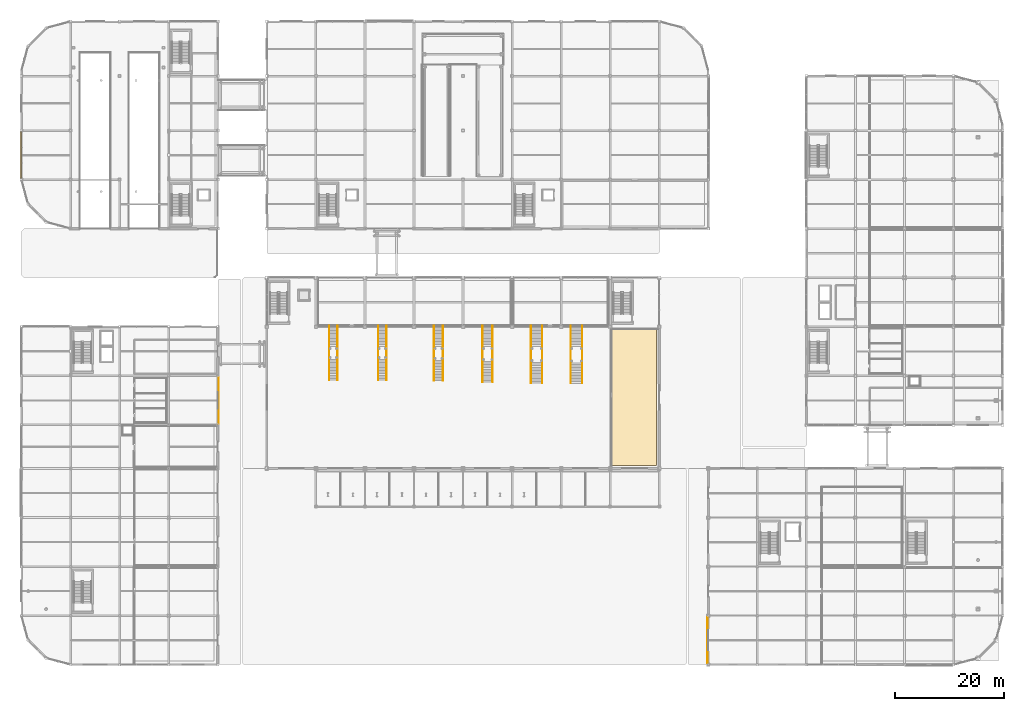
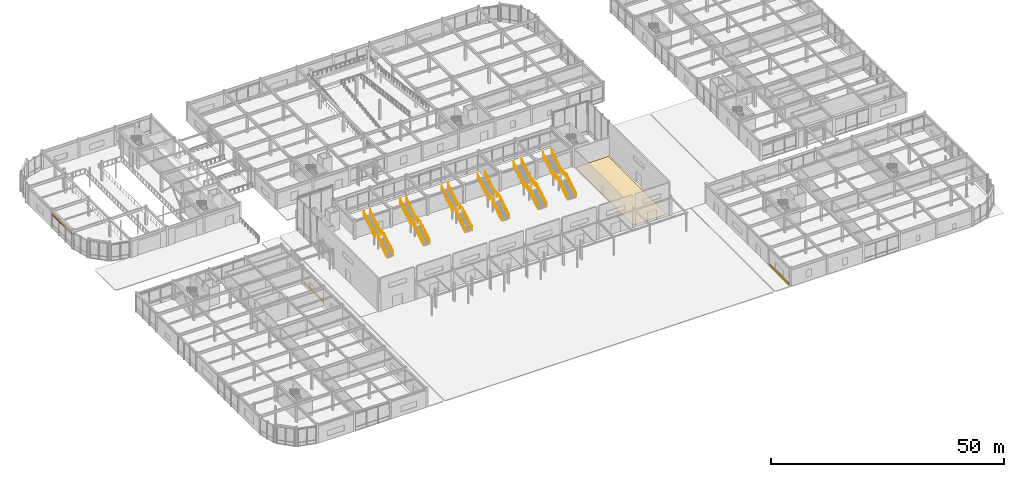
# One storey, part 109 of 123: 12 railings, 3 coverings, 1 shading device.
"""IFC4 building model written with IfcOpenShell, lengths in metres."""

from ifc_helpers import new_model, si_unit, direction, frame, origin, origin_2d, place, context, subcontext, project, spatial, polyline, rectangle, circle, outline, extrude, material, layer, layer_set, material_profile, profile_set, type_object, element, save


model = new_model("IFC4")

# Units and contexts
model_context = context("Model", 3, precision=1e-05, world=origin(), true_north=direction((0.0, 1.0)))
body_context = subcontext(model_context, "Body", "Model", "MODEL_VIEW")
ifc_project = project(units=[si_unit("LENGTHUNIT", "METRE"), si_unit("AREAUNIT", "SQUARE_METRE"), si_unit("VOLUMEUNIT", "CUBIC_METRE"), si_unit("PLANEANGLEUNIT", "RADIAN"), si_unit("MASSUNIT", "GRAM", prefix="KILO")], contexts=[model_context])

# Site, building, storey
site_placement = place(None, origin())
site = spatial("IfcSite", under=ifc_project, at=site_placement, CompositionType="ELEMENT")
building_placement = place(site_placement, origin())
building = spatial("IfcBuilding", under=site, at=building_placement, Name="Suzunagisa Mobility Hub", CompositionType="ELEMENT")
storey_placement = place(building_placement, origin())
storey = spatial("IfcBuildingStorey", under=building, at=storey_placement, Name="L00", CompositionType="ELEMENT", Elevation=0.0)

# Railings
ifc_material_1 = material(Name="Stainless Steel SUS304", Category="metal")
railing_type = type_object("IfcRailingType", Name="Interior Well Guardrail IGR-01", PredefinedType="GUARDRAIL", material=ifc_material_1)
railing_1_placement = place(storey_placement, frame((56.449951171875, 52.22998046875, 0.169921875)))
element("IfcRailing", 1, at=railing_1_placement, inside=storey, type_object=railing_type, Name="Concourse Stair Guardrail FS-01-L", PredefinedType="GUARDRAIL", context=body_context, shape_type="SweptSolid", body=[
    extrude(circle(Radius=0.02392578125, at=origin_2d()), frame((0.0, 0.0, 1.09619140625), z_axis=(0.0, 0.854181046106, 0.519975711426), x_axis=(-1.0, 0.0, 0.0)), (0.0, 0.0, 1.0), 4.577392578125),
    extrude(circle(Radius=0.02392578125, at=origin_2d()), frame((0.0, 3.909912109375, 3.47607421875), z_axis=(0.0, 1.0, 0.0), x_axis=(-1.0, 0.0, 0.0)), (0.0, 0.0, 1.0), 2.0),
    extrude(circle(Radius=0.02392578125, at=origin_2d()), frame((0.0, 5.909912109375, 3.47607421875), z_axis=(0.0, 0.84682331819, 0.531874296963), x_axis=(-1.0, 0.0, 0.0)), (0.0, 0.0, 1.0), 4.79443359375),
    extrude(circle(Radius=0.02099609375, at=origin_2d()), origin(), (0.0, 0.0, 1.0), 1.072021484375),
    extrude(circle(Radius=0.02099609375, at=origin_2d()), frame((0.0, 0.9775390625, 0.594970703125)), (0.0, 0.0, 1.0), 1.072021484375),
    extrude(circle(Radius=0.02099609375, at=origin_2d()), frame((0.0, 1.955078125, 1.18994140625)), (0.0, 0.0, 1.0), 1.072021484375),
    extrude(circle(Radius=0.02099609375, at=origin_2d()), frame((0.0, 2.932373046875, 1.78515625)), (0.0, 0.0, 1.0), 1.072021484375),
    extrude(circle(Radius=0.02099609375, at=origin_2d()), frame((0.0, 3.909912109375, 2.380126953125)), (0.0, 0.0, 1.0), 1.072021484375),
    extrude(circle(Radius=0.02099609375, at=origin_2d()), frame((0.0, 4.909912109375, 2.380126953125)), (0.0, 0.0, 1.0), 1.072021484375),
    extrude(circle(Radius=0.02099609375, at=origin_2d()), frame((0.0, 5.909912109375, 2.380126953125)), (0.0, 0.0, 1.0), 1.072021484375),
    extrude(circle(Radius=0.02099609375, at=origin_2d()), frame((0.0, 6.9248046875, 3.017578125)), (0.0, 0.0, 1.0), 1.072021484375),
    extrude(circle(Radius=0.02099609375, at=origin_2d()), frame((0.0, 7.93994140625, 3.6552734375)), (0.0, 0.0, 1.0), 1.072021484375),
    extrude(circle(Radius=0.02099609375, at=origin_2d()), frame((0.0, 8.955078125, 4.292724609375)), (0.0, 0.0, 1.0), 1.072021484375),
    extrude(circle(Radius=0.02099609375, at=origin_2d()), frame((0.0, 9.969970703125, 4.93017578125)), (0.0, 0.0, 1.0), 1.072021484375),
])
railing_2_placement = place(storey_placement, frame((57.949951171875, 52.22998046875, 0.169921875)))
element("IfcRailing", 2, at=railing_2_placement, inside=storey, type_object=railing_type, Name="Concourse Stair Guardrail FS-01-R", PredefinedType="GUARDRAIL", context=body_context, shape_type="SweptSolid", body=[
    extrude(circle(Radius=0.02392578125, at=origin_2d()), frame((0.0, 0.0, 1.09619140625), z_axis=(0.0, 0.854181046106, 0.519975711426), x_axis=(-1.0, 0.0, 0.0)), (0.0, 0.0, 1.0), 4.577392578125),
    extrude(circle(Radius=0.02392578125, at=origin_2d()), frame((0.0, 3.909912109375, 3.47607421875), z_axis=(0.0, 1.0, 0.0), x_axis=(-1.0, 0.0, 0.0)), (0.0, 0.0, 1.0), 2.0),
    extrude(circle(Radius=0.02392578125, at=origin_2d()), frame((0.0, 5.909912109375, 3.47607421875), z_axis=(0.0, 0.84682331819, 0.531874296963), x_axis=(-1.0, 0.0, 0.0)), (0.0, 0.0, 1.0), 4.79443359375),
    extrude(circle(Radius=0.02099609375, at=origin_2d()), origin(), (0.0, 0.0, 1.0), 1.072021484375),
    extrude(circle(Radius=0.02099609375, at=origin_2d()), frame((0.0, 0.9775390625, 0.594970703125)), (0.0, 0.0, 1.0), 1.072021484375),
    extrude(circle(Radius=0.02099609375, at=origin_2d()), frame((0.0, 1.955078125, 1.18994140625)), (0.0, 0.0, 1.0), 1.072021484375),
    extrude(circle(Radius=0.02099609375, at=origin_2d()), frame((0.0, 2.932373046875, 1.78515625)), (0.0, 0.0, 1.0), 1.072021484375),
    extrude(circle(Radius=0.02099609375, at=origin_2d()), frame((0.0, 3.909912109375, 2.380126953125)), (0.0, 0.0, 1.0), 1.072021484375),
    extrude(circle(Radius=0.02099609375, at=origin_2d()), frame((0.0, 4.909912109375, 2.380126953125)), (0.0, 0.0, 1.0), 1.072021484375),
    extrude(circle(Radius=0.02099609375, at=origin_2d()), frame((0.0, 5.909912109375, 2.380126953125)), (0.0, 0.0, 1.0), 1.072021484375),
    extrude(circle(Radius=0.02099609375, at=origin_2d()), frame((0.0, 6.9248046875, 3.017578125)), (0.0, 0.0, 1.0), 1.072021484375),
    extrude(circle(Radius=0.02099609375, at=origin_2d()), frame((0.0, 7.93994140625, 3.6552734375)), (0.0, 0.0, 1.0), 1.072021484375),
    extrude(circle(Radius=0.02099609375, at=origin_2d()), frame((0.0, 8.955078125, 4.292724609375)), (0.0, 0.0, 1.0), 1.072021484375),
    extrude(circle(Radius=0.02099609375, at=origin_2d()), frame((0.0, 9.969970703125, 4.93017578125)), (0.0, 0.0, 1.0), 1.072021484375),
])
railing_3_placement = place(storey_placement, frame((65.449951171875, 52.22998046875, 0.169921875)))
element("IfcRailing", 3, at=railing_3_placement, inside=storey, type_object=railing_type, Name="Concourse Stair Guardrail FS-02-L", PredefinedType="GUARDRAIL", context=body_context, shape_type="SweptSolid", body=[
    extrude(circle(Radius=0.02392578125, at=origin_2d()), frame((0.0, 0.0, 1.09619140625), z_axis=(0.0, 0.854181046106, 0.519975711426), x_axis=(-1.0, 0.0, 0.0)), (0.0, 0.0, 1.0), 4.577392578125),
    extrude(circle(Radius=0.02392578125, at=origin_2d()), frame((0.0, 3.909912109375, 3.47607421875), z_axis=(0.0, 1.0, 0.0), x_axis=(-1.0, 0.0, 0.0)), (0.0, 0.0, 1.0), 2.0),
    extrude(circle(Radius=0.02392578125, at=origin_2d()), frame((0.0, 5.909912109375, 3.47607421875), z_axis=(0.0, 0.84682331819, 0.531874296963), x_axis=(-1.0, 0.0, 0.0)), (0.0, 0.0, 1.0), 4.79443359375),
    extrude(circle(Radius=0.02099609375, at=origin_2d()), origin(), (0.0, 0.0, 1.0), 1.072021484375),
    extrude(circle(Radius=0.02099609375, at=origin_2d()), frame((0.0, 0.9775390625, 0.594970703125)), (0.0, 0.0, 1.0), 1.072021484375),
    extrude(circle(Radius=0.02099609375, at=origin_2d()), frame((0.0, 1.955078125, 1.18994140625)), (0.0, 0.0, 1.0), 1.072021484375),
    extrude(circle(Radius=0.02099609375, at=origin_2d()), frame((0.0, 2.932373046875, 1.78515625)), (0.0, 0.0, 1.0), 1.072021484375),
    extrude(circle(Radius=0.02099609375, at=origin_2d()), frame((0.0, 3.909912109375, 2.380126953125)), (0.0, 0.0, 1.0), 1.072021484375),
    extrude(circle(Radius=0.02099609375, at=origin_2d()), frame((0.0, 4.909912109375, 2.380126953125)), (0.0, 0.0, 1.0), 1.072021484375),
    extrude(circle(Radius=0.02099609375, at=origin_2d()), frame((0.0, 5.909912109375, 2.380126953125)), (0.0, 0.0, 1.0), 1.072021484375),
    extrude(circle(Radius=0.02099609375, at=origin_2d()), frame((0.0, 6.9248046875, 3.017578125)), (0.0, 0.0, 1.0), 1.072021484375),
    extrude(circle(Radius=0.02099609375, at=origin_2d()), frame((0.0, 7.93994140625, 3.6552734375)), (0.0, 0.0, 1.0), 1.072021484375),
    extrude(circle(Radius=0.02099609375, at=origin_2d()), frame((0.0, 8.955078125, 4.292724609375)), (0.0, 0.0, 1.0), 1.072021484375),
    extrude(circle(Radius=0.02099609375, at=origin_2d()), frame((0.0, 9.969970703125, 4.93017578125)), (0.0, 0.0, 1.0), 1.072021484375),
])
railing_4_placement = place(storey_placement, frame((66.949951171875, 52.22998046875, 0.169921875)))
element("IfcRailing", 4, at=railing_4_placement, inside=storey, type_object=railing_type, Name="Concourse Stair Guardrail FS-02-R", PredefinedType="GUARDRAIL", context=body_context, shape_type="SweptSolid", body=[
    extrude(circle(Radius=0.02392578125, at=origin_2d()), frame((0.0, 0.0, 1.09619140625), z_axis=(0.0, 0.854181046106, 0.519975711426), x_axis=(-1.0, 0.0, 0.0)), (0.0, 0.0, 1.0), 4.577392578125),
    extrude(circle(Radius=0.02392578125, at=origin_2d()), frame((0.0, 3.909912109375, 3.47607421875), z_axis=(0.0, 1.0, 0.0), x_axis=(-1.0, 0.0, 0.0)), (0.0, 0.0, 1.0), 2.0),
    extrude(circle(Radius=0.02392578125, at=origin_2d()), frame((0.0, 5.909912109375, 3.47607421875), z_axis=(0.0, 0.84682331819, 0.531874296963), x_axis=(-1.0, 0.0, 0.0)), (0.0, 0.0, 1.0), 4.79443359375),
    extrude(circle(Radius=0.02099609375, at=origin_2d()), origin(), (0.0, 0.0, 1.0), 1.072021484375),
    extrude(circle(Radius=0.02099609375, at=origin_2d()), frame((0.0, 0.9775390625, 0.594970703125)), (0.0, 0.0, 1.0), 1.072021484375),
    extrude(circle(Radius=0.02099609375, at=origin_2d()), frame((0.0, 1.955078125, 1.18994140625)), (0.0, 0.0, 1.0), 1.072021484375),
    extrude(circle(Radius=0.02099609375, at=origin_2d()), frame((0.0, 2.932373046875, 1.78515625)), (0.0, 0.0, 1.0), 1.072021484375),
    extrude(circle(Radius=0.02099609375, at=origin_2d()), frame((0.0, 3.909912109375, 2.380126953125)), (0.0, 0.0, 1.0), 1.072021484375),
    extrude(circle(Radius=0.02099609375, at=origin_2d()), frame((0.0, 4.909912109375, 2.380126953125)), (0.0, 0.0, 1.0), 1.072021484375),
    extrude(circle(Radius=0.02099609375, at=origin_2d()), frame((0.0, 5.909912109375, 2.380126953125)), (0.0, 0.0, 1.0), 1.072021484375),
    extrude(circle(Radius=0.02099609375, at=origin_2d()), frame((0.0, 6.9248046875, 3.017578125)), (0.0, 0.0, 1.0), 1.072021484375),
    extrude(circle(Radius=0.02099609375, at=origin_2d()), frame((0.0, 7.93994140625, 3.6552734375)), (0.0, 0.0, 1.0), 1.072021484375),
    extrude(circle(Radius=0.02099609375, at=origin_2d()), frame((0.0, 8.955078125, 4.292724609375)), (0.0, 0.0, 1.0), 1.072021484375),
    extrude(circle(Radius=0.02099609375, at=origin_2d()), frame((0.0, 9.969970703125, 4.93017578125)), (0.0, 0.0, 1.0), 1.072021484375),
])
railing_5_placement = place(storey_placement, frame((75.68603515625, 52.10205078125, 0.169921875)))
element("IfcRailing", 5, at=railing_5_placement, inside=storey, type_object=railing_type, Name="Concourse Stair Guardrail FS-03-L", PredefinedType="GUARDRAIL", context=body_context, shape_type="SweptSolid", body=[
    extrude(circle(Radius=0.02392578125, at=origin_2d()), frame((0.0, 0.0, 1.09619140625), z_axis=(0.0, 0.854181046106, 0.519975711426), x_axis=(-1.0, 0.0, 0.0)), (0.0, 0.0, 1.0), 4.577392578125),
    extrude(circle(Radius=0.02392578125, at=origin_2d()), frame((0.0, 3.909912109375, 3.47607421875), z_axis=(0.0, 1.0, 0.0), x_axis=(-1.0, 0.0, 0.0)), (0.0, 0.0, 1.0), 2.1279296875),
    extrude(circle(Radius=0.02392578125, at=origin_2d()), frame((0.0, 6.037841796875, 3.47607421875), z_axis=(0.0, 0.84682331819, 0.531874296963), x_axis=(-1.0, 0.0, 0.0)), (0.0, 0.0, 1.0), 4.79443359375),
    extrude(circle(Radius=0.02099609375, at=origin_2d()), origin(), (0.0, 0.0, 1.0), 1.072021484375),
    extrude(circle(Radius=0.02099609375, at=origin_2d()), frame((0.0, 0.9775390625, 0.594970703125)), (0.0, 0.0, 1.0), 1.072021484375),
    extrude(circle(Radius=0.02099609375, at=origin_2d()), frame((0.0, 1.955078125, 1.18994140625)), (0.0, 0.0, 1.0), 1.072021484375),
    extrude(circle(Radius=0.02099609375, at=origin_2d()), frame((0.0, 2.932373046875, 1.78515625)), (0.0, 0.0, 1.0), 1.072021484375),
    extrude(circle(Radius=0.02099609375, at=origin_2d()), frame((0.0, 3.909912109375, 2.380126953125)), (0.0, 0.0, 1.0), 1.072021484375),
    extrude(circle(Radius=0.02099609375, at=origin_2d()), frame((0.0, 4.973876953125, 2.380126953125)), (0.0, 0.0, 1.0), 1.072021484375),
    extrude(circle(Radius=0.02099609375, at=origin_2d()), frame((0.0, 6.037841796875, 2.380126953125)), (0.0, 0.0, 1.0), 1.072021484375),
    extrude(circle(Radius=0.02099609375, at=origin_2d()), frame((0.0, 7.052734375, 3.017578125)), (0.0, 0.0, 1.0), 1.072021484375),
    extrude(circle(Radius=0.02099609375, at=origin_2d()), frame((0.0, 8.06787109375, 3.6552734375)), (0.0, 0.0, 1.0), 1.072021484375),
    extrude(circle(Radius=0.02099609375, at=origin_2d()), frame((0.0, 9.0830078125, 4.292724609375)), (0.0, 0.0, 1.0), 1.072021484375),
    extrude(circle(Radius=0.02099609375, at=origin_2d()), frame((0.0, 10.097900390625, 4.93017578125)), (0.0, 0.0, 1.0), 1.072021484375),
])
railing_6_placement = place(storey_placement, frame((77.31396484375, 52.10205078125, 0.169921875)))
element("IfcRailing", 6, at=railing_6_placement, inside=storey, type_object=railing_type, Name="Concourse Stair Guardrail FS-03-R", PredefinedType="GUARDRAIL", context=body_context, shape_type="SweptSolid", body=[
    extrude(circle(Radius=0.02392578125, at=origin_2d()), frame((0.0, 0.0, 1.09619140625), z_axis=(0.0, 0.854181046106, 0.519975711426), x_axis=(-1.0, 0.0, 0.0)), (0.0, 0.0, 1.0), 4.577392578125),
    extrude(circle(Radius=0.02392578125, at=origin_2d()), frame((0.0, 3.909912109375, 3.47607421875), z_axis=(0.0, 1.0, 0.0), x_axis=(-1.0, 0.0, 0.0)), (0.0, 0.0, 1.0), 2.1279296875),
    extrude(circle(Radius=0.02392578125, at=origin_2d()), frame((0.0, 6.037841796875, 3.47607421875), z_axis=(0.0, 0.84682331819, 0.531874296963), x_axis=(-1.0, 0.0, 0.0)), (0.0, 0.0, 1.0), 4.79443359375),
    extrude(circle(Radius=0.02099609375, at=origin_2d()), origin(), (0.0, 0.0, 1.0), 1.072021484375),
    extrude(circle(Radius=0.02099609375, at=origin_2d()), frame((0.0, 0.9775390625, 0.594970703125)), (0.0, 0.0, 1.0), 1.072021484375),
    extrude(circle(Radius=0.02099609375, at=origin_2d()), frame((0.0, 1.955078125, 1.18994140625)), (0.0, 0.0, 1.0), 1.072021484375),
    extrude(circle(Radius=0.02099609375, at=origin_2d()), frame((0.0, 2.932373046875, 1.78515625)), (0.0, 0.0, 1.0), 1.072021484375),
    extrude(circle(Radius=0.02099609375, at=origin_2d()), frame((0.0, 3.909912109375, 2.380126953125)), (0.0, 0.0, 1.0), 1.072021484375),
    extrude(circle(Radius=0.02099609375, at=origin_2d()), frame((0.0, 4.973876953125, 2.380126953125)), (0.0, 0.0, 1.0), 1.072021484375),
    extrude(circle(Radius=0.02099609375, at=origin_2d()), frame((0.0, 6.037841796875, 2.380126953125)), (0.0, 0.0, 1.0), 1.072021484375),
    extrude(circle(Radius=0.02099609375, at=origin_2d()), frame((0.0, 7.052734375, 3.017578125)), (0.0, 0.0, 1.0), 1.072021484375),
    extrude(circle(Radius=0.02099609375, at=origin_2d()), frame((0.0, 8.06787109375, 3.6552734375)), (0.0, 0.0, 1.0), 1.072021484375),
    extrude(circle(Radius=0.02099609375, at=origin_2d()), frame((0.0, 9.0830078125, 4.292724609375)), (0.0, 0.0, 1.0), 1.072021484375),
    extrude(circle(Radius=0.02099609375, at=origin_2d()), frame((0.0, 10.097900390625, 4.93017578125)), (0.0, 0.0, 1.0), 1.072021484375),
])
railing_7_placement = place(storey_placement, frame((84.577880859375, 51.885986328125, 0.169921875)))
element("IfcRailing", 7, at=railing_7_placement, inside=storey, type_object=railing_type, Name="Concourse Stair Guardrail FS-04-L", PredefinedType="GUARDRAIL", context=body_context, shape_type="SweptSolid", body=[
    extrude(circle(Radius=0.02392578125, at=origin_2d()), frame((0.0, 0.0, 1.09619140625), z_axis=(0.0, 0.854181046106, 0.519975711426), x_axis=(-1.0, 0.0, 0.0)), (0.0, 0.0, 1.0), 4.577392578125),
    extrude(circle(Radius=0.02392578125, at=origin_2d()), frame((0.0, 3.909912109375, 3.47607421875), z_axis=(0.0, 1.0, 0.0), x_axis=(-1.0, 0.0, 0.0)), (0.0, 0.0, 1.0), 2.343994140625),
    extrude(circle(Radius=0.02392578125, at=origin_2d()), frame((0.0, 6.25390625, 3.47607421875), z_axis=(0.0, 0.84682331819, 0.531874296963), x_axis=(-1.0, 0.0, 0.0)), (0.0, 0.0, 1.0), 4.79443359375),
    extrude(circle(Radius=0.02099609375, at=origin_2d()), origin(), (0.0, 0.0, 1.0), 1.072021484375),
    extrude(circle(Radius=0.02099609375, at=origin_2d()), frame((0.0, 0.9775390625, 0.594970703125)), (0.0, 0.0, 1.0), 1.072021484375),
    extrude(circle(Radius=0.02099609375, at=origin_2d()), frame((0.0, 1.955078125, 1.18994140625)), (0.0, 0.0, 1.0), 1.072021484375),
    extrude(circle(Radius=0.02099609375, at=origin_2d()), frame((0.0, 2.932373046875, 1.78515625)), (0.0, 0.0, 1.0), 1.072021484375),
    extrude(circle(Radius=0.02099609375, at=origin_2d()), frame((0.0, 3.909912109375, 2.380126953125)), (0.0, 0.0, 1.0), 1.072021484375),
    extrude(circle(Radius=0.02099609375, at=origin_2d()), frame((0.0, 5.08203125, 2.380126953125)), (0.0, 0.0, 1.0), 1.072021484375),
    extrude(circle(Radius=0.02099609375, at=origin_2d()), frame((0.0, 6.25390625, 2.380126953125)), (0.0, 0.0, 1.0), 1.072021484375),
    extrude(circle(Radius=0.02099609375, at=origin_2d()), frame((0.0, 7.26904296875, 3.017578125)), (0.0, 0.0, 1.0), 1.072021484375),
    extrude(circle(Radius=0.02099609375, at=origin_2d()), frame((0.0, 8.283935546875, 3.6552734375)), (0.0, 0.0, 1.0), 1.072021484375),
    extrude(circle(Radius=0.02099609375, at=origin_2d()), frame((0.0, 9.298828125, 4.292724609375)), (0.0, 0.0, 1.0), 1.072021484375),
    extrude(circle(Radius=0.02099609375, at=origin_2d()), frame((0.0, 10.31396484375, 4.93017578125)), (0.0, 0.0, 1.0), 1.072021484375),
])
railing_8_placement = place(storey_placement, frame((86.422119140625, 51.885986328125, 0.169921875)))
element("IfcRailing", 8, at=railing_8_placement, inside=storey, type_object=railing_type, Name="Concourse Stair Guardrail FS-04-R", PredefinedType="GUARDRAIL", context=body_context, shape_type="SweptSolid", body=[
    extrude(circle(Radius=0.02392578125, at=origin_2d()), frame((0.0, 0.0, 1.09619140625), z_axis=(0.0, 0.854181046106, 0.519975711426), x_axis=(-1.0, 0.0, 0.0)), (0.0, 0.0, 1.0), 4.577392578125),
    extrude(circle(Radius=0.02392578125, at=origin_2d()), frame((0.0, 3.909912109375, 3.47607421875), z_axis=(0.0, 1.0, 0.0), x_axis=(-1.0, 0.0, 0.0)), (0.0, 0.0, 1.0), 2.343994140625),
    extrude(circle(Radius=0.02392578125, at=origin_2d()), frame((0.0, 6.25390625, 3.47607421875), z_axis=(0.0, 0.84682331819, 0.531874296963), x_axis=(-1.0, 0.0, 0.0)), (0.0, 0.0, 1.0), 4.79443359375),
    extrude(circle(Radius=0.02099609375, at=origin_2d()), origin(), (0.0, 0.0, 1.0), 1.072021484375),
    extrude(circle(Radius=0.02099609375, at=origin_2d()), frame((0.0, 0.9775390625, 0.594970703125)), (0.0, 0.0, 1.0), 1.072021484375),
    extrude(circle(Radius=0.02099609375, at=origin_2d()), frame((0.0, 1.955078125, 1.18994140625)), (0.0, 0.0, 1.0), 1.072021484375),
    extrude(circle(Radius=0.02099609375, at=origin_2d()), frame((0.0, 2.932373046875, 1.78515625)), (0.0, 0.0, 1.0), 1.072021484375),
    extrude(circle(Radius=0.02099609375, at=origin_2d()), frame((0.0, 3.909912109375, 2.380126953125)), (0.0, 0.0, 1.0), 1.072021484375),
    extrude(circle(Radius=0.02099609375, at=origin_2d()), frame((0.0, 5.08203125, 2.380126953125)), (0.0, 0.0, 1.0), 1.072021484375),
    extrude(circle(Radius=0.02099609375, at=origin_2d()), frame((0.0, 6.25390625, 2.380126953125)), (0.0, 0.0, 1.0), 1.072021484375),
    extrude(circle(Radius=0.02099609375, at=origin_2d()), frame((0.0, 7.26904296875, 3.017578125)), (0.0, 0.0, 1.0), 1.072021484375),
    extrude(circle(Radius=0.02099609375, at=origin_2d()), frame((0.0, 8.283935546875, 3.6552734375)), (0.0, 0.0, 1.0), 1.072021484375),
    extrude(circle(Radius=0.02099609375, at=origin_2d()), frame((0.0, 9.298828125, 4.292724609375)), (0.0, 0.0, 1.0), 1.072021484375),
    extrude(circle(Radius=0.02099609375, at=origin_2d()), frame((0.0, 10.31396484375, 4.93017578125)), (0.0, 0.0, 1.0), 1.072021484375),
])
railing_9_placement = place(storey_placement, frame((93.469970703125, 51.669921875, 0.169921875)))
element("IfcRailing", 9, at=railing_9_placement, inside=storey, type_object=railing_type, Name="Concourse Stair Guardrail FS-05-L", PredefinedType="GUARDRAIL", context=body_context, shape_type="SweptSolid", body=[
    extrude(circle(Radius=0.02392578125, at=origin_2d()), frame((0.0, 0.0, 1.09619140625), z_axis=(0.0, 0.854195465912, 0.519952022801), x_axis=(-1.0, 0.0, 0.0)), (0.0, 0.0, 1.0), 4.57763671875),
    extrude(circle(Radius=0.02392578125, at=origin_2d()), frame((0.0, 3.91015625, 3.47607421875), z_axis=(0.0, 1.0, 0.0), x_axis=(-1.0, 0.0, 0.0)), (0.0, 0.0, 1.0), 2.559814453125),
    extrude(circle(Radius=0.02392578125, at=origin_2d()), frame((0.0, 6.469970703125, 3.47607421875), z_axis=(0.0, 0.84682331819, 0.531874296963), x_axis=(-1.0, 0.0, 0.0)), (0.0, 0.0, 1.0), 4.79443359375),
    extrude(circle(Radius=0.02099609375, at=origin_2d()), origin(), (0.0, 0.0, 1.0), 1.072021484375),
    extrude(circle(Radius=0.02099609375, at=origin_2d()), frame((0.0, 0.9775390625, 0.594970703125)), (0.0, 0.0, 1.0), 1.072021484375),
    extrude(circle(Radius=0.02099609375, at=origin_2d()), frame((0.0, 1.955078125, 1.18994140625)), (0.0, 0.0, 1.0), 1.072021484375),
    extrude(circle(Radius=0.02099609375, at=origin_2d()), frame((0.0, 2.9326171875, 1.78515625)), (0.0, 0.0, 1.0), 1.072021484375),
    extrude(circle(Radius=0.02099609375, at=origin_2d()), frame((0.0, 3.91015625, 2.380126953125)), (0.0, 0.0, 1.0), 1.072021484375),
    extrude(circle(Radius=0.02099609375, at=origin_2d()), frame((0.0, 4.763427734375, 2.380126953125)), (0.0, 0.0, 1.0), 1.072021484375),
    extrude(circle(Radius=0.02099609375, at=origin_2d()), frame((0.0, 5.61669921875, 2.380126953125)), (0.0, 0.0, 1.0), 1.072021484375),
    extrude(circle(Radius=0.02099609375, at=origin_2d()), frame((0.0, 6.469970703125, 2.380126953125)), (0.0, 0.0, 1.0), 1.072021484375),
    extrude(circle(Radius=0.02099609375, at=origin_2d()), frame((0.0, 7.48486328125, 3.017578125)), (0.0, 0.0, 1.0), 1.072021484375),
    extrude(circle(Radius=0.02099609375, at=origin_2d()), frame((0.0, 8.5, 3.6552734375)), (0.0, 0.0, 1.0), 1.072021484375),
    extrude(circle(Radius=0.02099609375, at=origin_2d()), frame((0.0, 9.51513671875, 4.292724609375)), (0.0, 0.0, 1.0), 1.072021484375),
    extrude(circle(Radius=0.02099609375, at=origin_2d()), frame((0.0, 10.530029296875, 4.93017578125)), (0.0, 0.0, 1.0), 1.072021484375),
])
railing_10_placement = place(storey_placement, frame((95.530029296875, 51.669921875, 0.169921875)))
element("IfcRailing", 10, at=railing_10_placement, inside=storey, type_object=railing_type, Name="Concourse Stair Guardrail FS-05-R", PredefinedType="GUARDRAIL", context=body_context, shape_type="SweptSolid", body=[
    extrude(circle(Radius=0.02392578125, at=origin_2d()), frame((0.0, 0.0, 1.09619140625), z_axis=(0.0, 0.854195465912, 0.519952022801), x_axis=(-1.0, 0.0, 0.0)), (0.0, 0.0, 1.0), 4.57763671875),
    extrude(circle(Radius=0.02392578125, at=origin_2d()), frame((0.0, 3.91015625, 3.47607421875), z_axis=(0.0, 1.0, 0.0), x_axis=(-1.0, 0.0, 0.0)), (0.0, 0.0, 1.0), 2.559814453125),
    extrude(circle(Radius=0.02392578125, at=origin_2d()), frame((0.0, 6.469970703125, 3.47607421875), z_axis=(0.0, 0.84682331819, 0.531874296963), x_axis=(-1.0, 0.0, 0.0)), (0.0, 0.0, 1.0), 4.79443359375),
    extrude(circle(Radius=0.02099609375, at=origin_2d()), origin(), (0.0, 0.0, 1.0), 1.072021484375),
    extrude(circle(Radius=0.02099609375, at=origin_2d()), frame((0.0, 0.9775390625, 0.594970703125)), (0.0, 0.0, 1.0), 1.072021484375),
    extrude(circle(Radius=0.02099609375, at=origin_2d()), frame((0.0, 1.955078125, 1.18994140625)), (0.0, 0.0, 1.0), 1.072021484375),
    extrude(circle(Radius=0.02099609375, at=origin_2d()), frame((0.0, 2.9326171875, 1.78515625)), (0.0, 0.0, 1.0), 1.072021484375),
    extrude(circle(Radius=0.02099609375, at=origin_2d()), frame((0.0, 3.91015625, 2.380126953125)), (0.0, 0.0, 1.0), 1.072021484375),
    extrude(circle(Radius=0.02099609375, at=origin_2d()), frame((0.0, 4.763427734375, 2.380126953125)), (0.0, 0.0, 1.0), 1.072021484375),
    extrude(circle(Radius=0.02099609375, at=origin_2d()), frame((0.0, 5.61669921875, 2.380126953125)), (0.0, 0.0, 1.0), 1.072021484375),
    extrude(circle(Radius=0.02099609375, at=origin_2d()), frame((0.0, 6.469970703125, 2.380126953125)), (0.0, 0.0, 1.0), 1.072021484375),
    extrude(circle(Radius=0.02099609375, at=origin_2d()), frame((0.0, 7.48486328125, 3.017578125)), (0.0, 0.0, 1.0), 1.072021484375),
    extrude(circle(Radius=0.02099609375, at=origin_2d()), frame((0.0, 8.5, 3.6552734375)), (0.0, 0.0, 1.0), 1.072021484375),
    extrude(circle(Radius=0.02099609375, at=origin_2d()), frame((0.0, 9.51513671875, 4.292724609375)), (0.0, 0.0, 1.0), 1.072021484375),
    extrude(circle(Radius=0.02099609375, at=origin_2d()), frame((0.0, 10.530029296875, 4.93017578125)), (0.0, 0.0, 1.0), 1.072021484375),
])
railing_11_placement = place(storey_placement, frame((100.75, 51.6298828125, 0.169921875)))
element("IfcRailing", 11, at=railing_11_placement, inside=storey, type_object=railing_type, Name="Concourse Stair Guardrail FS-06-L", PredefinedType="GUARDRAIL", context=body_context, shape_type="SweptSolid", body=[
    extrude(circle(Radius=0.02392578125, at=origin_2d()), frame((0.0, 0.0, 1.09619140625), z_axis=(0.0, 0.854195465912, 0.519952022801), x_axis=(-1.0, 0.0, 0.0)), (0.0, 0.0, 1.0), 4.57763671875),
    extrude(circle(Radius=0.02392578125, at=origin_2d()), frame((0.0, 3.91015625, 3.47607421875), z_axis=(0.0, 1.0, 0.0), x_axis=(-1.0, 0.0, 0.0)), (0.0, 0.0, 1.0), 2.599853515625),
    extrude(circle(Radius=0.02392578125, at=origin_2d()), frame((0.0, 6.510009765625, 3.47607421875), z_axis=(0.0, 0.84682331819, 0.531874296963), x_axis=(-1.0, 0.0, 0.0)), (0.0, 0.0, 1.0), 4.79443359375),
    extrude(circle(Radius=0.02099609375, at=origin_2d()), origin(), (0.0, 0.0, 1.0), 1.072021484375),
    extrude(circle(Radius=0.02099609375, at=origin_2d()), frame((0.0, 0.9775390625, 0.594970703125)), (0.0, 0.0, 1.0), 1.072021484375),
    extrude(circle(Radius=0.02099609375, at=origin_2d()), frame((0.0, 1.955078125, 1.18994140625)), (0.0, 0.0, 1.0), 1.072021484375),
    extrude(circle(Radius=0.02099609375, at=origin_2d()), frame((0.0, 2.9326171875, 1.78515625)), (0.0, 0.0, 1.0), 1.072021484375),
    extrude(circle(Radius=0.02099609375, at=origin_2d()), frame((0.0, 3.91015625, 2.380126953125)), (0.0, 0.0, 1.0), 1.072021484375),
    extrude(circle(Radius=0.02099609375, at=origin_2d()), frame((0.0, 4.77685546875, 2.380126953125)), (0.0, 0.0, 1.0), 1.072021484375),
    extrude(circle(Radius=0.02099609375, at=origin_2d()), frame((0.0, 5.643310546875, 2.380126953125)), (0.0, 0.0, 1.0), 1.072021484375),
    extrude(circle(Radius=0.02099609375, at=origin_2d()), frame((0.0, 6.510009765625, 2.380126953125)), (0.0, 0.0, 1.0), 1.072021484375),
    extrude(circle(Radius=0.02099609375, at=origin_2d()), frame((0.0, 7.52490234375, 3.017578125)), (0.0, 0.0, 1.0), 1.072021484375),
    extrude(circle(Radius=0.02099609375, at=origin_2d()), frame((0.0, 8.5400390625, 3.6552734375)), (0.0, 0.0, 1.0), 1.072021484375),
    extrude(circle(Radius=0.02099609375, at=origin_2d()), frame((0.0, 9.55517578125, 4.292724609375)), (0.0, 0.0, 1.0), 1.072021484375),
    extrude(circle(Radius=0.02099609375, at=origin_2d()), frame((0.0, 10.570068359375, 4.93017578125)), (0.0, 0.0, 1.0), 1.072021484375),
])
railing_12_placement = place(storey_placement, frame((102.85009765625, 51.6298828125, 0.169921875)))
element("IfcRailing", 12, at=railing_12_placement, inside=storey, type_object=railing_type, Name="Concourse Stair Guardrail FS-06-R", PredefinedType="GUARDRAIL", context=body_context, shape_type="SweptSolid", body=[
    extrude(circle(Radius=0.02392578125, at=origin_2d()), frame((0.0, 0.0, 1.09619140625), z_axis=(0.0, 0.854195465912, 0.519952022801), x_axis=(-1.0, 0.0, 0.0)), (0.0, 0.0, 1.0), 4.57763671875),
    extrude(circle(Radius=0.02392578125, at=origin_2d()), frame((0.0, 3.91015625, 3.47607421875), z_axis=(0.0, 1.0, 0.0), x_axis=(-1.0, 0.0, 0.0)), (0.0, 0.0, 1.0), 2.599853515625),
    extrude(circle(Radius=0.02392578125, at=origin_2d()), frame((0.0, 6.510009765625, 3.47607421875), z_axis=(0.0, 0.84682331819, 0.531874296963), x_axis=(-1.0, 0.0, 0.0)), (0.0, 0.0, 1.0), 4.79443359375),
    extrude(circle(Radius=0.02099609375, at=origin_2d()), origin(), (0.0, 0.0, 1.0), 1.072021484375),
    extrude(circle(Radius=0.02099609375, at=origin_2d()), frame((0.0, 0.9775390625, 0.594970703125)), (0.0, 0.0, 1.0), 1.072021484375),
    extrude(circle(Radius=0.02099609375, at=origin_2d()), frame((0.0, 1.955078125, 1.18994140625)), (0.0, 0.0, 1.0), 1.072021484375),
    extrude(circle(Radius=0.02099609375, at=origin_2d()), frame((0.0, 2.9326171875, 1.78515625)), (0.0, 0.0, 1.0), 1.072021484375),
    extrude(circle(Radius=0.02099609375, at=origin_2d()), frame((0.0, 3.91015625, 2.380126953125)), (0.0, 0.0, 1.0), 1.072021484375),
    extrude(circle(Radius=0.02099609375, at=origin_2d()), frame((0.0, 4.77685546875, 2.380126953125)), (0.0, 0.0, 1.0), 1.072021484375),
    extrude(circle(Radius=0.02099609375, at=origin_2d()), frame((0.0, 5.643310546875, 2.380126953125)), (0.0, 0.0, 1.0), 1.072021484375),
    extrude(circle(Radius=0.02099609375, at=origin_2d()), frame((0.0, 6.510009765625, 2.380126953125)), (0.0, 0.0, 1.0), 1.072021484375),
    extrude(circle(Radius=0.02099609375, at=origin_2d()), frame((0.0, 7.52490234375, 3.017578125)), (0.0, 0.0, 1.0), 1.072021484375),
    extrude(circle(Radius=0.02099609375, at=origin_2d()), frame((0.0, 8.5400390625, 3.6552734375)), (0.0, 0.0, 1.0), 1.072021484375),
    extrude(circle(Radius=0.02099609375, at=origin_2d()), frame((0.0, 9.55517578125, 4.292724609375)), (0.0, 0.0, 1.0), 1.072021484375),
    extrude(circle(Radius=0.02099609375, at=origin_2d()), frame((0.0, 10.570068359375, 4.93017578125)), (0.0, 0.0, 1.0), 1.072021484375),
])

# Coverings
ifc_material_2 = material(Name="Polished Aggregate Terrazzo Finish")
ifc_layer_1 = layer(ifc_material_2, 0.02001953125)
ifc_layer_set_1 = layer_set([ifc_layer_1], Name="Polished Aggregate Terrazzo Finish")
covering_type_1 = type_object("IfcCoveringType", Name="Polished Terrazzo Heavy-Traffic Flooring FLR-01", PredefinedType="FLOORING", material=ifc_layer_set_1)
covering_placement = place(storey_placement, origin())
element("IfcCovering", 13, at=covering_placement, inside=storey, type_object=covering_type_1, Name="L00 East Taxi and Accessible Shuttle Boarding Lounge Terrazzo Flooring", PredefinedType="FLOORING", context=body_context, shape_type="SweptSolid", body=[
    extrude(outline(polyline([(116.47998046875, 36.52001953125), (108.320068359375, 36.52001953125), (108.320068359375, 61.47998046875), (116.47998046875, 61.47998046875), (116.47998046875, 36.52001953125)])), origin(), (0.0, 0.0, 1.0), 0.02001953125),
])
ifc_material_3 = material(Name="Vitreous Porcelain Enamel Aluminum Cladding", Category="aluminium")
ifc_layer_2 = layer(ifc_material_3, 0.034912109375)
ifc_layer_set_2 = layer_set([ifc_layer_2], Name="Vitreous Porcelain Enamel Aluminum Cladding")
covering_type_2 = type_object("IfcCoveringType", Name="Porcelain Enamel Spandrel Cladding Band CLD-01", PredefinedType="CLADDING", material=ifc_layer_set_2)
for number, where, z_axis, x_axis, name in (
    (14, (36.1474609375, 48.5, 0.06005859375), (0.0, 0.0, 1.0), (0.0, 1.0, 0.0), "L00 Porcelain Spandrel Cladding Band CLD-1"),
    (15, (125.862548828125, 4.5, 0.06005859375), (0.0, 0.0, 1.0), (0.0, -1.0, 0.0), "L00 Porcelain Spandrel Cladding Band CLD-31"),
):
    element("IfcCovering", number, at=place(storey_placement, frame(where, z_axis=z_axis, x_axis=x_axis)), inside=storey, type_object=covering_type_2, Name=name, PredefinedType="CLADDING", context=body_context, shape_type="SweptSolid", body=[
        extrude(rectangle(XDim=8.5, YDim=0.034912109375, at=origin_2d()), origin(), (0.0, 0.0, 1.0), 0.719970703125),
    ])

# Shading device
ifc_material_4 = material(Name="Fluoropolymer-Coated Extruded Aluminum 6063-T5", Category="aluminium")
ifc_material_profile = material_profile(ifc_material_4, rectangle(XDim=0.360107421875, YDim=0.050048828125, at=origin_2d()), Name="FIN-360x50")
ifc_profile_set = profile_set([ifc_material_profile], Name="Fluoropolymer-Coated Extruded Aluminum 6063-T5")
shading_device_type = type_object("IfcShadingDeviceType", Name="Streamline Aluminum Sunshade SF-04 FIN-360x50", PredefinedType="USERDEFINED", material=ifc_profile_set)
shading_device_placement = place(storey_placement, frame((-0.110107421875, 97.742431640625, 3.68994140625), z_axis=(0.0, -1.0, 0.0), x_axis=(1.0, 0.0, 0.0)))
element("IfcShadingDevice", 16, at=shading_device_placement, inside=storey, type_object=shading_device_type, Name="L00 Streamline Speed-Rail Sunshade Fin SF-12", ObjectType="SUNSHADE FIN", PredefinedType="USERDEFINED", context=body_context, shape_type="SweptSolid", body=[
    extrude(rectangle(XDim=0.360107421875, YDim=0.050048828125, at=origin_2d()), origin(), (0.0, 0.0, 1.0), 8.48486328125),
])

save(model, "model.ifc")
